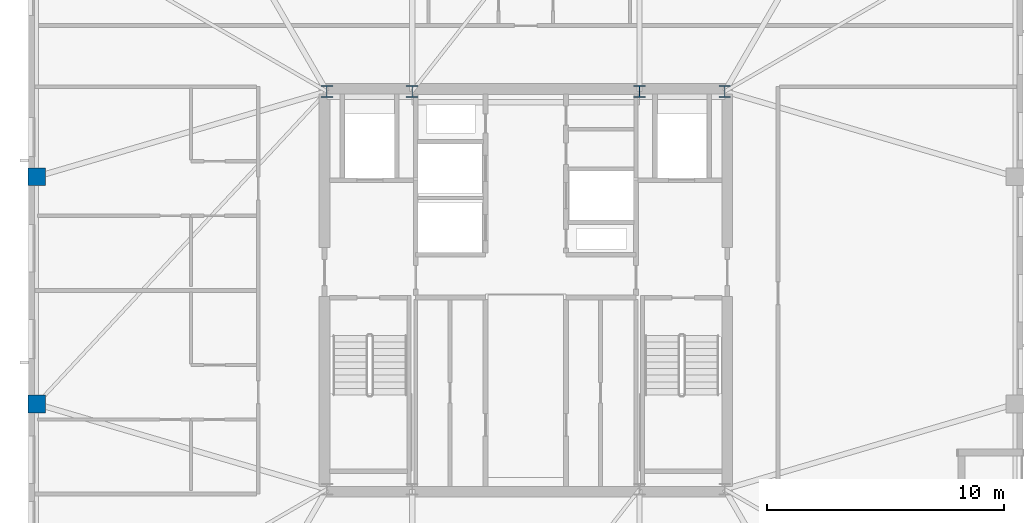
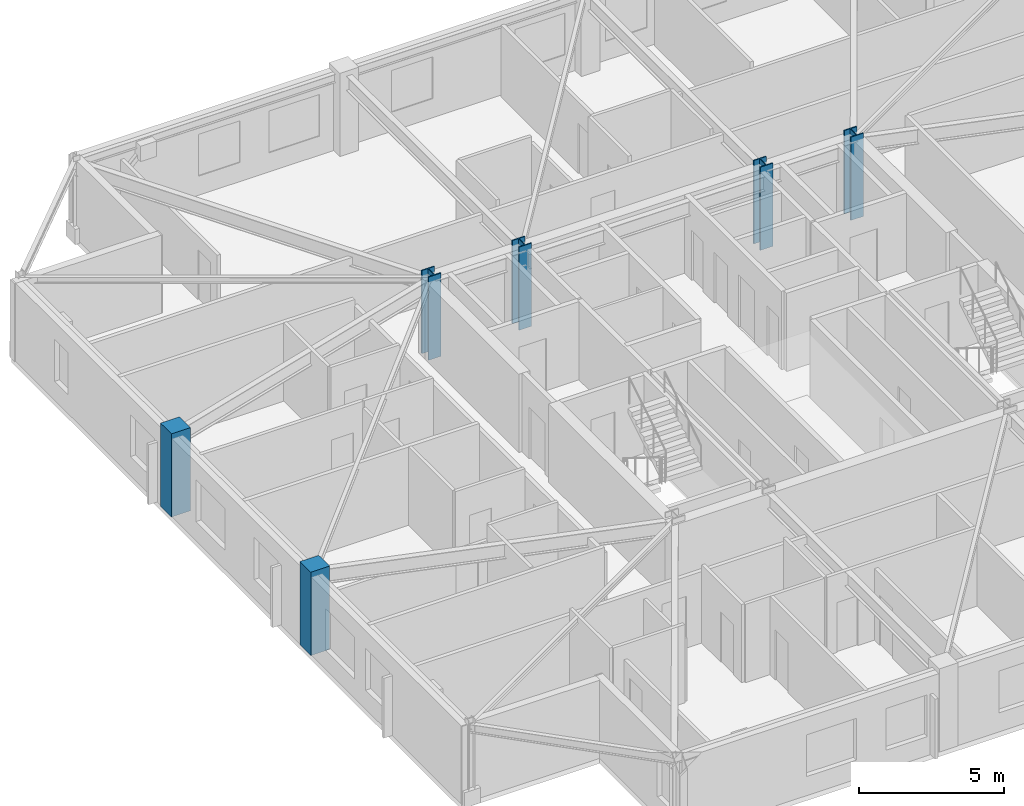
# One storey, part 2 of 15: 6 columns.
"""IFC4 building model written with IfcOpenShell, lengths in metres."""

from ifc_helpers import new_model, si_unit, direction, frame, origin, origin_2d, place, context, subcontext, project, spatial, rectangle, i_section, extrude, material, material_profile, profile_set, type_object, element, save


model = new_model("IFC4")

# Units and contexts
model_context = context("Model", 3, precision=1e-05, world=origin(), true_north=direction((0.0, 1.0)))
body_context = subcontext(model_context, "Body", "Model", "MODEL_VIEW")
ifc_project = project(units=[si_unit("LENGTHUNIT", "METRE"), si_unit("AREAUNIT", "SQUARE_METRE"), si_unit("VOLUMEUNIT", "CUBIC_METRE"), si_unit("PLANEANGLEUNIT", "RADIAN"), si_unit("MASSUNIT", "GRAM", prefix="KILO")], contexts=[model_context])

# Site, building, storey
site_placement = place(None, origin())
site = spatial("IfcSite", under=ifc_project, at=site_placement, CompositionType="ELEMENT")
building_placement = place(site_placement, origin())
building = spatial("IfcBuilding", under=site, at=building_placement, Name="Cairnveth Concourse Tower", CompositionType="ELEMENT")
storey_placement = place(building_placement, frame((0.0, 0.0, 291.0)))
storey = spatial("IfcBuildingStorey", under=building, at=storey_placement, Name="L80", CompositionType="ELEMENT", Elevation=291.0)

# Columns
ifc_material_1 = material(Name="Concrete N50 (50 MPa)", Category="concrete")
ifc_material_profile_1 = material_profile(ifc_material_1, rectangle(XDim=0.75, YDim=0.75, at=origin_2d()), Name="RC-COL-750x750")
ifc_profile_set_1 = profile_set([ifc_material_profile_1], Name="Concrete N50 (50 MPa)")
column_type_1 = type_object("IfcColumnType", Name="PERIMETER PIER COLUMN 750X750", PredefinedType="COLUMN", material=ifc_profile_set_1)
for number, where, z_axis, x_axis, name in (
    (1, (31.35009765625, 43.800048828125, 0.0), (0.0, 0.0, 1.0), (0.0, 1.0, 0.0), "Column P-W2 L80"),
    (2, (31.35009765625, 34.199951171875, 0.0), (0.0, 0.0, 1.0), (0.0, 1.0, 0.0), "Column P-W3 L80"),
):
    element("IfcColumn", number, at=place(storey_placement, frame(where, z_axis=z_axis, x_axis=x_axis)), inside=storey, type_object=column_type_1, Name=name, PredefinedType="COLUMN", context=body_context, shape_type="SweptSolid", body=[
        extrude(rectangle(XDim=0.75, YDim=0.75, at=origin_2d()), origin(), (0.0, 0.0, 1.0), 3.5),
    ])
ifc_material_2 = material(Name="Steel Grade 350", Category="steel")
ifc_material_profile_2 = material_profile(ifc_material_2, i_section(OverallWidth=0.5, OverallDepth=0.5, WebThickness=0.028076171875, FlangeThickness=0.044921875, at=origin_2d()), Name="500WC383")
ifc_profile_set_2 = profile_set([ifc_material_profile_2], Name="Steel Grade 350")
column_type_2 = type_object("IfcColumnType", Name="WELDED STEEL COLUMN 500WC383", PredefinedType="COLUMN", material=ifc_profile_set_2)
for number, where, z_axis, x_axis, name in (
    (3, (43.60009765625, 47.39990234375, 0.0), (0.0, 0.0, 1.0), (1.0, 0.0, 0.0), "Column CC5 L80"),
    (4, (47.199951171875, 47.39990234375, 0.0), (0.0, 0.0, 1.0), (1.0, 0.0, 0.0), "Column CC6 L80"),
    (5, (56.800048828125, 47.39990234375, 0.0), (0.0, 0.0, 1.0), (1.0, 0.0, 0.0), "Column CC7 L80"),
    (6, (60.39990234375, 47.39990234375, 0.0), (0.0, 0.0, 1.0), (1.0, 0.0, 0.0), "Column CC8 L80"),
):
    element("IfcColumn", number, at=place(storey_placement, frame(where, z_axis=z_axis, x_axis=x_axis)), inside=storey, type_object=column_type_2, Name=name, PredefinedType="COLUMN", context=body_context, shape_type="SweptSolid", body=[
        extrude(i_section(OverallWidth=0.5, OverallDepth=0.5, WebThickness=0.028076171875, FlangeThickness=0.044921875, at=origin_2d()), origin(), (0.0, 0.0, 1.0), 3.5),
    ])

save(model, "model.ifc")
